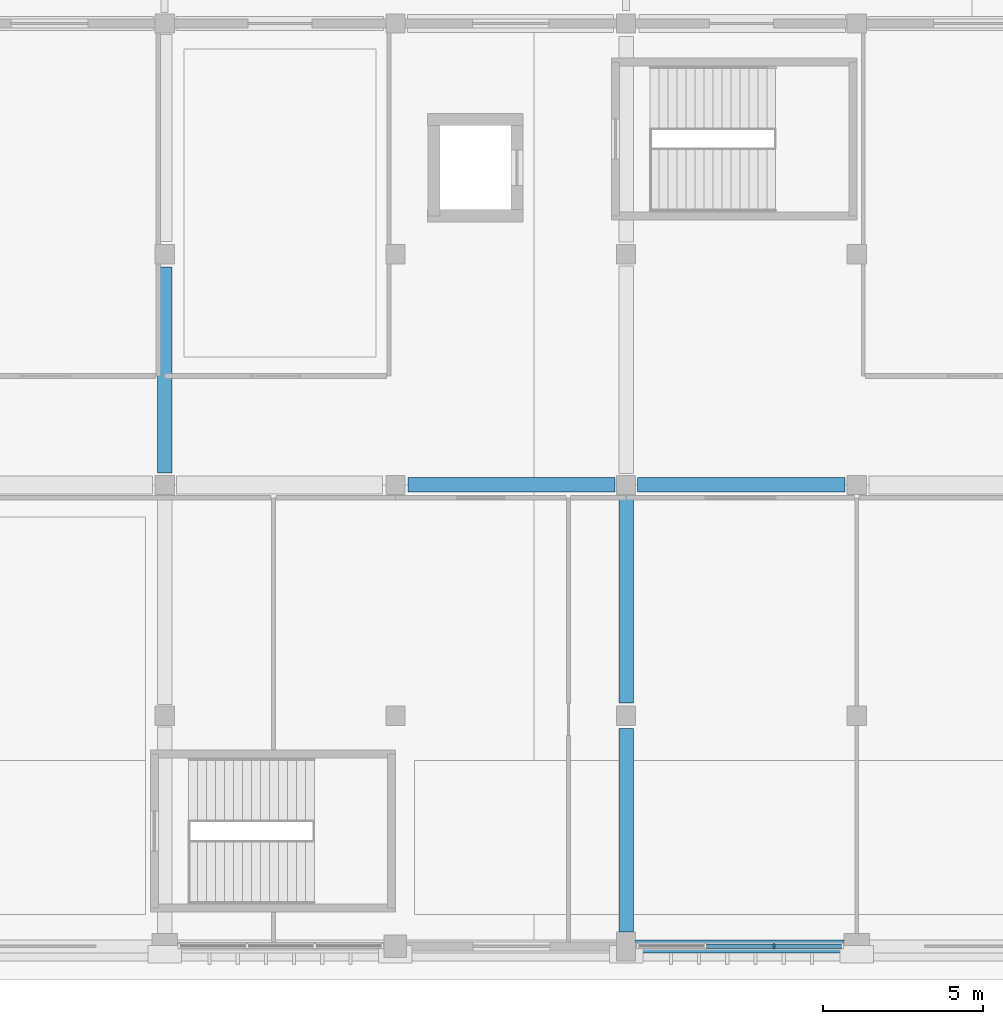
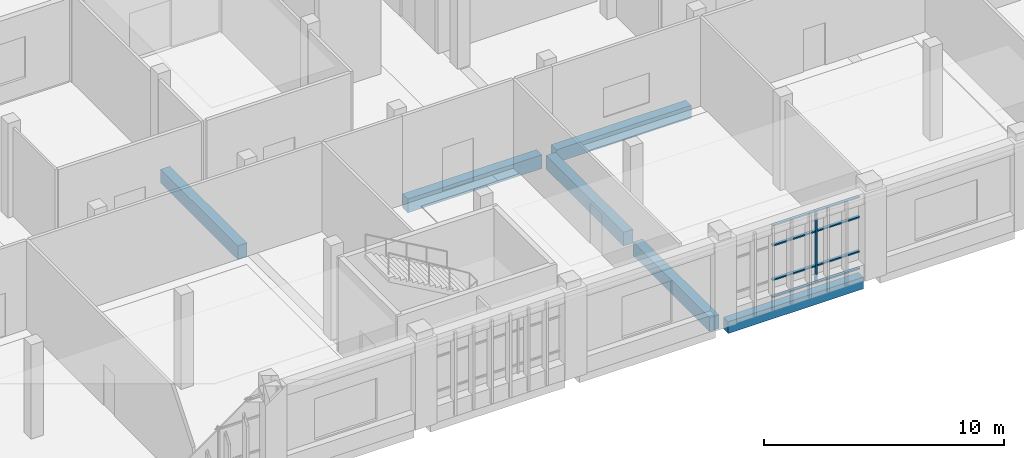
# One storey, part 21 of 82: 9 members, 6 beams, 1 element without a shape of its own.
"""IFC4 building model written with IfcOpenShell, lengths in metres."""

import ifcopenshell
import ifcopenshell.guid

model = None  # the IFC model being written
_history = None  # IfcOwnerHistory: only IFC2X3 demands one
_inside = {}  # id of a spatial element -> (the spatial element, [elements in it])
_under = {}  # id of a project, library or spatial element -> (it, [spatial elements below it])
_declared = {}  # id of a project -> (the project, [libraries it declares])
_typed = {}  # id of a type object -> (the type object, [elements of that type])
_made_of = {}  # id of a material, layer set ... -> (it, [elements and type objects made of it])


def new_model(schema):
    """Start an empty IFC model of exactly this schema.

    Asked for "IFC4X3", IfcOpenShell would pick the latest addendum, in which some entities
    have other attributes; the version numbers below select the first issue.
    IFC2X3 requires an IfcOwnerHistory on every rooted entity: one is made here for all.
    """
    global model, _history
    if schema == "IFC4X3":
        model = ifcopenshell.file(schema_version=(4, 3, 0, 0))
    else:
        model = ifcopenshell.file(schema=schema)
    _inside.clear()
    _under.clear()
    _declared.clear()
    _typed.clear()
    _made_of.clear()
    _history = None
    if model.schema == "IFC2X3":
        org = make("IfcOrganization", Name="unknown")
        user = make(
            "IfcPersonAndOrganization",
            ThePerson=make("IfcPerson", FamilyName="unknown"),
            TheOrganization=org,
        )
        app = make(
            "IfcApplication",
            ApplicationDeveloper=org,
            Version="unknown",
            ApplicationFullName="unknown",
            ApplicationIdentifier="unknown",
        )
        _history = make(
            "IfcOwnerHistory",
            OwningUser=user,
            OwningApplication=app,
            ChangeAction="ADDED",
            CreationDate=0,
        )
    return model


def make(cls, **values):
    """One entity of the class cls with the attributes given. An attribute that is None is left unset."""
    return model.create_entity(
        cls, **{name: value for name, value in values.items() if value is not None}
    )


def rooted(cls, **values):
    """An entity with a GlobalId (a new one), such as an element, a storey or a relation."""
    return make(cls, GlobalId=ifcopenshell.guid.new(), OwnerHistory=_history, **values)


def si_unit(unit_type, name, prefix=None):
    """IfcSIUnit, for example si_unit("LENGTHUNIT", "METRE", prefix="MILLI")."""
    return make("IfcSIUnit", UnitType=unit_type, Prefix=prefix, Name=name)


def assignment(units):
    """IfcUnitAssignment: the units of a project."""
    return None if units is None else make("IfcUnitAssignment", Units=units)


def point(xyz):
    """IfcCartesianPoint."""
    return None if xyz is None else make("IfcCartesianPoint", Coordinates=xyz)


def direction(xyz):
    """IfcDirection."""
    return None if xyz is None else make("IfcDirection", DirectionRatios=xyz)


def frame(location, z_axis=None, x_axis=None):
    """IfcAxis2Placement3D, a coordinate frame: its origin and axes. An axis left out is left unset."""
    return make(
        "IfcAxis2Placement3D",
        Location=point(location),
        Axis=direction(z_axis),
        RefDirection=direction(x_axis),
    )


def frame_2d(location, x_axis=None):
    """IfcAxis2Placement2D, a coordinate frame in the plane: its origin and x axis."""
    return make(
        "IfcAxis2Placement2D", Location=point(location), RefDirection=direction(x_axis)
    )


def origin():
    """The frame at (0, 0, 0) with its axes left unset."""
    return frame((0.0, 0.0, 0.0))


def origin_2d():
    """The frame at (0, 0) in the plane with its x axis left unset."""
    return frame_2d((0.0, 0.0))


def place(relative_to, where):
    """IfcLocalPlacement: puts the frame where relative to a parent placement (None: the world)."""
    return make(
        "IfcLocalPlacement", PlacementRelTo=relative_to, RelativePlacement=where
    )


def context(
    kind, dimensions, precision=None, world=None, true_north=None, identifier=None
):
    """IfcGeometricRepresentationContext, for example the 3D "Model" context."""
    return make(
        "IfcGeometricRepresentationContext",
        ContextIdentifier=identifier,
        ContextType=kind,
        CoordinateSpaceDimension=dimensions,
        Precision=precision,
        WorldCoordinateSystem=world,
        TrueNorth=true_north,
    )


def subcontext(parent, identifier, kind, view, scale=None):
    """IfcGeometricRepresentationSubContext, for example "Body" below "Model"."""
    return make(
        "IfcGeometricRepresentationSubContext",
        ContextIdentifier=identifier,
        ContextType=kind,
        ParentContext=parent,
        TargetScale=scale,
        TargetView=view,
    )


def project(units=None, contexts=None):
    """IfcProject with its units and contexts."""
    return rooted(
        "IfcProject",
        Name="project",
        RepresentationContexts=contexts,
        UnitsInContext=assignment(units),
    )


def spatial(cls, under=None, at=None, **own):
    """A site, building, storey or space (cls), placed at a placement, below another one or the project."""
    s = rooted(cls, ObjectPlacement=at, **own)
    if under is not None:
        _under.setdefault(under.id(), (under, []))[1].append(s)
    return s


def profile(cls, at=None, kind="AREA", **sizes):
    """A parametric profile (cls). Its sizes go by their IFC names, for example OverallWidth=200.0."""
    return make(cls, ProfileType=kind, Position=at, **sizes)


def rectangle(**sizes):
    """IfcRectangleProfileDef."""
    return profile("IfcRectangleProfileDef", **sizes)


def extrude(swept, where, along, depth):
    """IfcExtrudedAreaSolid: the profile swept, set in the frame where, extruded along a direction by depth."""
    return make(
        "IfcExtrudedAreaSolid",
        SweptArea=swept,
        Position=where,
        ExtrudedDirection=direction(along),
        Depth=depth,
    )


def shape(context_of_items, identifier, shape_type, items):
    """IfcShapeRepresentation: the items that make up one representation, for example the "Body"."""
    return make(
        "IfcShapeRepresentation",
        ContextOfItems=context_of_items,
        RepresentationIdentifier=identifier,
        RepresentationType=shape_type,
        Items=items,
    )


def material(Name=None, Category=None):
    """IfcMaterial."""
    return make("IfcMaterial", Name=Name, Category=Category)


def material_profile(
    of_material, cross_section, Name=None, Category=None, Priority=None
):
    """IfcMaterialProfile: a cross section and its material."""
    return make(
        "IfcMaterialProfile",
        Name=Name,
        Material=of_material,
        Profile=cross_section,
        Priority=Priority,
        Category=Category,
    )


def profile_set(profiles, Name=None, composite=None):
    """IfcMaterialProfileSet."""
    return make(
        "IfcMaterialProfileSet",
        Name=Name,
        MaterialProfiles=profiles,
        CompositeProfile=composite,
    )


def made_of(thing, what):
    """Note that an element or type object is made of a material, layer set ...; save() writes the relation."""
    if what is not None:
        _made_of.setdefault(what.id(), (what, []))[1].append(thing)
    return thing


def type_object(cls, material=None, **own):
    """A type object (cls), such as IfcWallType, which elements share."""
    return made_of(rooted(cls, **own), material)


def element(
    cls,
    number,
    at=None,
    inside=None,
    cuts=None,
    type_object=None,
    material=None,
    context=None,
    identifier="Body",
    shape_type=None,
    held_by="IfcProductDefinitionShape",
    body=None,
    shapes=None,
    **own,
):
    """One element of the class cls, such as IfcWall. Its Tag is "e" and its number.

    at: its placement. inside: the storey or other place that contains it. cuts: it is an
    opening in that element (IfcRelVoidsElement). A single representation is given by context,
    identifier, shape_type and body (its items); several are given by shapes. held_by: the class
    of the entity that holds the representations. save() writes the other relations.
    """
    e = rooted(cls, Tag="e%d" % number, ObjectPlacement=at, **own)
    if body is not None:
        shapes = [shape(context, identifier, shape_type, body)]
    if shapes is not None:
        e.Representation = make(held_by, Representations=shapes)
    if inside is not None:
        _inside.setdefault(inside.id(), (inside, []))[1].append(e)
    if cuts is not None:
        rooted(
            "IfcRelVoidsElement", RelatingBuildingElement=cuts, RelatedOpeningElement=e
        )
    if type_object is not None:
        _typed.setdefault(type_object.id(), (type_object, []))[1].append(e)
    return made_of(e, material)


def aggregate(whole, parts):
    """IfcRelAggregates: a whole, such as a stair, and the parts it consists of."""
    return rooted("IfcRelAggregates", RelatingObject=whole, RelatedObjects=parts)


def save(model, path):
    """Write the relations noted so far, then the file.

    IfcRelAggregates (storeys below a building ...), IfcRelContainedInSpatialStructure (elements
    in a storey), IfcRelDefinesByType, IfcRelAssociatesMaterial and IfcRelDeclares: one each for
    every whole, place, type object, material and project.
    """
    for whole, parts in _under.values():
        aggregate(whole, parts)
    for where, things in _inside.values():
        rooted(
            "IfcRelContainedInSpatialStructure",
            RelatedElements=things,
            RelatingStructure=where,
        )
    for kind, things in _typed.values():
        rooted("IfcRelDefinesByType", RelatedObjects=things, RelatingType=kind)
    for what, things in _made_of.values():
        rooted("IfcRelAssociatesMaterial", RelatedObjects=things, RelatingMaterial=what)
    for by, libraries in _declared.values():
        rooted("IfcRelDeclares", RelatingContext=by, RelatedDefinitions=libraries)
    model.write(path)


model = new_model("IFC4")

# Units and contexts
model_context = context("Model", 3, precision=1e-05, world=origin(), true_north=direction((0.0, 1.0)))
body_context = subcontext(model_context, "Body", "Model", "MODEL_VIEW")
ifc_project = project(units=[si_unit("LENGTHUNIT", "METRE"), si_unit("AREAUNIT", "SQUARE_METRE"), si_unit("VOLUMEUNIT", "CUBIC_METRE"), si_unit("PLANEANGLEUNIT", "RADIAN"), si_unit("MASSUNIT", "GRAM", prefix="KILO")], contexts=[model_context])

# Site, building, storey
site_placement = place(None, origin())
site = spatial("IfcSite", under=ifc_project, at=site_placement, CompositionType="ELEMENT")
building_placement = place(site_placement, origin())
building = spatial("IfcBuilding", under=site, at=building_placement, Name="Sardonyx Promenade Sports Hall", CompositionType="ELEMENT")
storey_placement = place(building_placement, frame((0.0, 0.0, 11.199951171875)))
storey = spatial("IfcBuildingStorey", under=building, at=storey_placement, Name="L02", CompositionType="ELEMENT", Elevation=11.199951171875)

# Beams
ifc_material_1 = material(Name="Concrete C40/50", Category="concrete")
ifc_material_profile_1 = material_profile(ifc_material_1, rectangle(XDim=0.449951171875, YDim=0.64990234375, at=origin_2d()))
ifc_profile_set_1 = profile_set([ifc_material_profile_1], Name="Concrete C40/50")
beam_type_1 = type_object("IfcBeamType", Name="Bm_Primary_RC650", PredefinedType="BEAM", material=ifc_profile_set_1)
beam_1_placement = place(storey_placement, frame((57.949951171875, 14.39990234375, -0.324951171875), z_axis=(1.0, 0.0, 0.0), x_axis=(0.0, 1.0, 0.0)))
element("IfcBeam", 1, at=beam_1_placement, inside=storey, type_object=beam_type_1, Name="Beam BG05 L02 #478", PredefinedType="BEAM", context=body_context, shape_type="SweptSolid", body=[
    extrude(rectangle(XDim=0.449951171875, YDim=0.64990234375, at=origin_2d()), origin(), (0.0, 0.0, 1.0), 6.47509765625),
])
ifc_material_2 = material(Name="Concrete C40/50", Category="concrete")
ifc_material_profile_2 = material_profile(ifc_material_2, rectangle(XDim=0.449951171875, YDim=0.699951171875, at=origin_2d()))
ifc_profile_set_2 = profile_set([ifc_material_profile_2], Name="Concrete C40/50")
beam_type_2 = type_object("IfcBeamType", Name="Bm_Primary_RC700", PredefinedType="BEAM", material=ifc_profile_set_2)
beam_2_placement = place(storey_placement, frame((50.800048828125, 14.39990234375, -0.349853515625), z_axis=(1.0, 0.0, 0.0), x_axis=(0.0, 1.0, 0.0)))
element("IfcBeam", 2, at=beam_2_placement, inside=storey, type_object=beam_type_2, Name="Beam BG01 L02 #477", PredefinedType="BEAM", context=body_context, shape_type="SweptSolid", body=[
    extrude(rectangle(XDim=0.449951171875, YDim=0.699951171875, at=origin_2d()), origin(), (0.0, 0.0, 1.0), 6.449951171875),
])
beam_3_placement = place(storey_placement, frame((43.199951171875, 14.77490234375, -0.349853515625), z_axis=(0.0, 1.0, 0.0), x_axis=(-1.0, 0.0, 0.0)))
element("IfcBeam", 3, at=beam_3_placement, inside=storey, type_object=beam_type_2, Name="Beam BG01 L02 #594", PredefinedType="BEAM", context=body_context, shape_type="SweptSolid", body=[
    extrude(rectangle(XDim=0.449951171875, YDim=0.699951171875, at=origin_2d()), origin(), (0.0, 0.0, 1.0), 6.425048828125),
])
beam_4_placement = place(storey_placement, frame((57.60009765625, 0.449951171875, -0.349853515625), z_axis=(0.0, 1.0, 0.0), x_axis=(-1.0, 0.0, 0.0)))
element("IfcBeam", 4, at=beam_4_placement, inside=storey, type_object=beam_type_2, Name="Beam BG01 L02 #603", PredefinedType="BEAM", context=body_context, shape_type="SweptSolid", body=[
    extrude(rectangle(XDim=0.449951171875, YDim=0.699951171875, at=origin_2d()), origin(), (0.0, 0.0, 1.0), 6.35009765625),
])
beam_5_placement = place(storey_placement, frame((57.60009765625, 7.60009765625, -0.349853515625), z_axis=(0.0, 1.0, 0.0), x_axis=(-1.0, 0.0, 0.0)))
element("IfcBeam", 5, at=beam_5_placement, inside=storey, type_object=beam_type_2, Name="Beam BG01 L02 #604", PredefinedType="BEAM", context=body_context, shape_type="SweptSolid", body=[
    extrude(rectangle(XDim=0.449951171875, YDim=0.699951171875, at=origin_2d()), origin(), (0.0, 0.0, 1.0), 6.449951171875),
])
ifc_material_3 = material(Name="Concrete C40/50", Category="concrete")
ifc_material_profile_3 = material_profile(ifc_material_3, rectangle(XDim=0.39990234375, YDim=0.60009765625, at=origin_2d()))
ifc_profile_set_3 = profile_set([ifc_material_profile_3], Name="Concrete C40/50")
beam_type_3 = type_object("IfcBeamType", Name="Bm_Spandrel_RC600", PredefinedType="SPANDREL", material=ifc_profile_set_3)
beam_6_placement = place(storey_placement, frame((57.89990234375, 0.0, -0.300048828125), z_axis=(1.0, 0.0, 0.0), x_axis=(0.0, 1.0, 0.0)))
element("IfcBeam", 6, at=beam_6_placement, inside=storey, type_object=beam_type_3, Name="Beam SPB1 L02 #455", PredefinedType="SPANDREL", context=body_context, shape_type="SweptSolid", body=[
    extrude(rectangle(XDim=0.39990234375, YDim=0.60009765625, at=origin_2d()), origin(), (0.0, 0.0, 1.0), 6.5),
])

# Curtain wall, members
ifc_material_4 = material(Name="Aluminium 6063-T6", Category="aluminium")
curtain_wall_type = type_object("IfcCurtainWallType", Name="CW_South_L02_640", PredefinedType="USERDEFINED", material=ifc_material_4)
curtain_wall_placement = place(storey_placement, origin())
curtain_wall = element("IfcCurtainWall", 7, at=curtain_wall_placement, inside=storey, type_object=curtain_wall_type, Name="Curtain wall CW01 cw:L02:036", ObjectType="CURTAIN WALL", PredefinedType="USERDEFINED")
ifc_material_5 = material(Name="Aluminium 6063-T6", Category="aluminium")
ifc_material_profile_4 = material_profile(ifc_material_5, rectangle(XDim=0.06494140625, YDim=0.175048828125, at=origin_2d()))
ifc_profile_set_4 = profile_set([ifc_material_profile_4], Name="Aluminium 6063-T6")
member_type_1 = type_object("IfcMemberType", Name="CW_Mull_175", PredefinedType="MULLION", material=ifc_profile_set_4)
member_1_placement = place(storey_placement, frame((62.2158203125, 0.0, 0.35009765625), z_axis=(0.0, 0.0, 1.0), x_axis=(-1.0, 0.0, 0.0)))
member_1 = element("IfcMember", 8, at=member_1_placement, type_object=member_type_1, Name="Mullion CM02 cw:L02:036 #2", PredefinedType="MULLION", context=body_context, shape_type="SweptSolid", body=[
    extrude(rectangle(XDim=0.06494140625, YDim=0.175048828125, at=origin_2d()), origin(), (0.0, 0.0, 1.0), 3.699951171875),
])
ifc_material_6 = material(Name="Aluminium 6063-T6", Category="aluminium")
ifc_material_profile_5 = material_profile(ifc_material_6, rectangle(XDim=0.06494140625, YDim=0.139892578125, at=origin_2d()))
ifc_profile_set_5 = profile_set([ifc_material_profile_5], Name="Aluminium 6063-T6")
member_type_2 = type_object("IfcMemberType", Name="CW_Tran_140", PredefinedType="USERDEFINED", material=ifc_profile_set_5)
member_2_placement = place(storey_placement, frame((64.31494140625, 0.0, 0.382568359375), z_axis=(-1.0, 0.0, 0.0), x_axis=(0.0, 0.0, 1.0)))
member_2 = element("IfcMember", 9, at=member_2_placement, type_object=member_type_2, Name="Transom CT02 cw:L02:036 #1", ObjectType="TRANSOM", PredefinedType="USERDEFINED", context=body_context, shape_type="SweptSolid", body=[
    extrude(rectangle(XDim=0.06494140625, YDim=0.139892578125, at=origin_2d()), origin(), (0.0, 0.0, 1.0), 2.066650390625),
])
member_3_placement = place(storey_placement, frame((64.31494140625, 0.0, 1.25), z_axis=(-1.0, 0.0, 0.0), x_axis=(0.0, 0.0, 1.0)))
member_3 = element("IfcMember", 10, at=member_3_placement, type_object=member_type_2, Name="Transom CT02 cw:L02:036 #2", ObjectType="TRANSOM", PredefinedType="USERDEFINED", context=body_context, shape_type="SweptSolid", body=[
    extrude(rectangle(XDim=0.06494140625, YDim=0.139892578125, at=origin_2d()), origin(), (0.0, 0.0, 1.0), 2.066650390625),
])
member_4_placement = place(storey_placement, frame((64.31494140625, 0.0, 3.0), z_axis=(-1.0, 0.0, 0.0), x_axis=(0.0, 0.0, 1.0)))
member_4 = element("IfcMember", 11, at=member_4_placement, type_object=member_type_2, Name="Transom CT02 cw:L02:036 #3", ObjectType="TRANSOM", PredefinedType="USERDEFINED", context=body_context, shape_type="SweptSolid", body=[
    extrude(rectangle(XDim=0.06494140625, YDim=0.139892578125, at=origin_2d()), origin(), (0.0, 0.0, 1.0), 2.066650390625),
])
member_5_placement = place(storey_placement, frame((64.31494140625, 0.0, 4.017578125), z_axis=(-1.0, 0.0, 0.0), x_axis=(0.0, 0.0, 1.0)))
member_5 = element("IfcMember", 12, at=member_5_placement, type_object=member_type_2, Name="Transom CT02 cw:L02:036 #4", ObjectType="TRANSOM", PredefinedType="USERDEFINED", context=body_context, shape_type="SweptSolid", body=[
    extrude(rectangle(XDim=0.06494140625, YDim=0.139892578125, at=origin_2d()), origin(), (0.0, 0.0, 1.0), 2.066650390625),
])
member_6_placement = place(storey_placement, frame((62.183349609375, 0.0, 0.382568359375), z_axis=(-1.0, 0.0, 0.0), x_axis=(0.0, 0.0, 1.0)))
member_6 = element("IfcMember", 13, at=member_6_placement, type_object=member_type_2, Name="Transom CT02 cw:L02:036 #5", ObjectType="TRANSOM", PredefinedType="USERDEFINED", context=body_context, shape_type="SweptSolid", body=[
    extrude(rectangle(XDim=0.06494140625, YDim=0.139892578125, at=origin_2d()), origin(), (0.0, 0.0, 1.0), 2.066650390625),
])
member_7_placement = place(storey_placement, frame((62.183349609375, 0.0, 1.25), z_axis=(-1.0, 0.0, 0.0), x_axis=(0.0, 0.0, 1.0)))
member_7 = element("IfcMember", 14, at=member_7_placement, type_object=member_type_2, Name="Transom CT02 cw:L02:036 #6", ObjectType="TRANSOM", PredefinedType="USERDEFINED", context=body_context, shape_type="SweptSolid", body=[
    extrude(rectangle(XDim=0.06494140625, YDim=0.139892578125, at=origin_2d()), origin(), (0.0, 0.0, 1.0), 2.066650390625),
])
member_8_placement = place(storey_placement, frame((62.183349609375, 0.0, 3.0), z_axis=(-1.0, 0.0, 0.0), x_axis=(0.0, 0.0, 1.0)))
member_8 = element("IfcMember", 15, at=member_8_placement, type_object=member_type_2, Name="Transom CT02 cw:L02:036 #7", ObjectType="TRANSOM", PredefinedType="USERDEFINED", context=body_context, shape_type="SweptSolid", body=[
    extrude(rectangle(XDim=0.06494140625, YDim=0.139892578125, at=origin_2d()), origin(), (0.0, 0.0, 1.0), 2.066650390625),
])
member_9_placement = place(storey_placement, frame((62.183349609375, 0.0, 4.017578125), z_axis=(-1.0, 0.0, 0.0), x_axis=(0.0, 0.0, 1.0)))
member_9 = element("IfcMember", 16, at=member_9_placement, type_object=member_type_2, Name="Transom CT02 cw:L02:036 #8", ObjectType="TRANSOM", PredefinedType="USERDEFINED", context=body_context, shape_type="SweptSolid", body=[
    extrude(rectangle(XDim=0.06494140625, YDim=0.139892578125, at=origin_2d()), origin(), (0.0, 0.0, 1.0), 2.066650390625),
])
aggregate(curtain_wall, [member_1, member_2, member_3, member_4, member_5, member_6, member_7, member_8, member_9])

save(model, "model.ifc")
